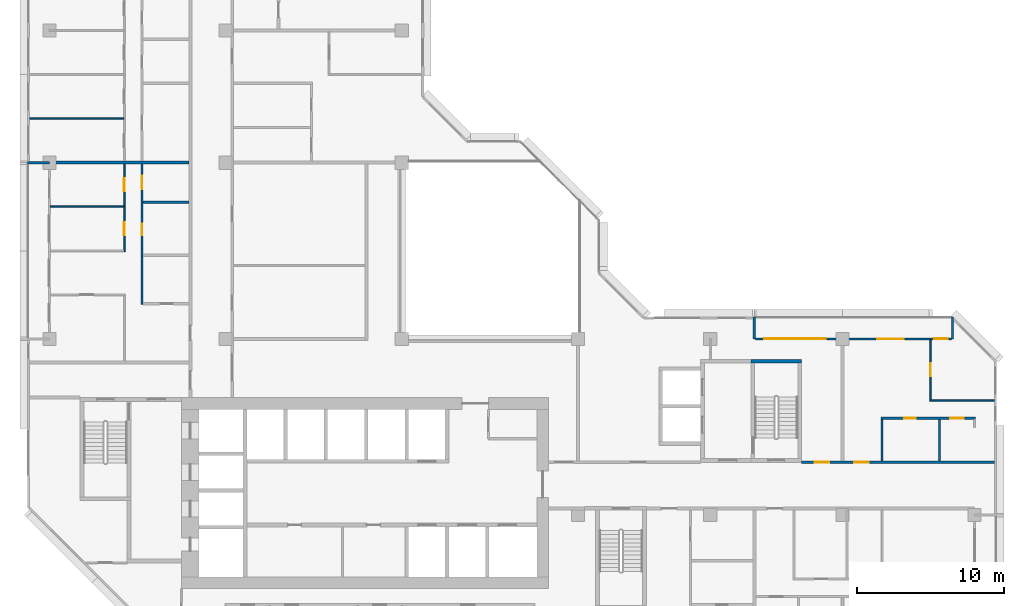
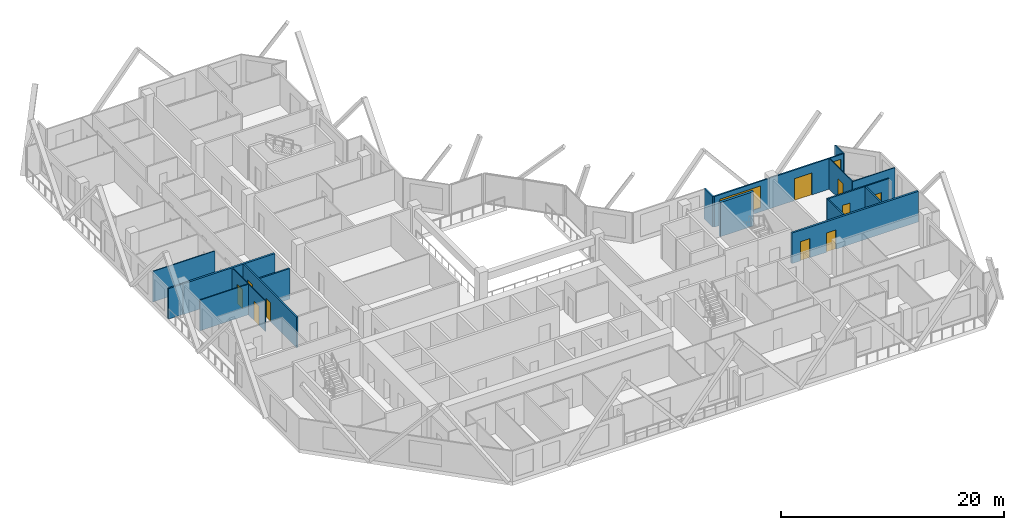
# One storey, part 8 of 15: 17 walls, 10 doors, 2 windows, 12 openings.
"""IFC4 building model written with IfcOpenShell, lengths in metres."""

from ifc_helpers import new_model, si_unit, direction, frame, frame_2d, origin, place, context, subcontext, project, spatial, rectangle, extrude, material, layer, layer_set, type_object, element, fill, save


model = new_model("IFC4")

# Units and contexts
model_context = context("Model", 3, precision=1e-05, world=origin(), true_north=direction((0.0, 1.0)))
body_context = subcontext(model_context, "Body", "Model", "MODEL_VIEW")
ifc_project = project(units=[si_unit("LENGTHUNIT", "METRE"), si_unit("AREAUNIT", "SQUARE_METRE"), si_unit("VOLUMEUNIT", "CUBIC_METRE"), si_unit("PLANEANGLEUNIT", "RADIAN"), si_unit("MASSUNIT", "GRAM", prefix="KILO")], contexts=[model_context])

# Site, building, storey
site_placement = place(None, origin())
site = spatial("IfcSite", under=ifc_project, at=site_placement, CompositionType="ELEMENT")
building_placement = place(site_placement, origin())
building = spatial("IfcBuilding", under=site, at=building_placement, Name="Chenar Terraces", CompositionType="ELEMENT")
storey_placement = place(building_placement, frame((0.0, 0.0, 172.39990234375)))
storey = spatial("IfcBuildingStorey", under=building, at=storey_placement, Name="L39", CompositionType="ELEMENT", Elevation=172.39990234375)

# Wall
ifc_material_1 = material(Name="Concrete C60/75", Category="concrete")
ifc_layer_1 = layer(ifc_material_1, 0.25)
ifc_layer_set_1 = layer_set([ifc_layer_1], Name="Concrete C60/75")
wall_type_1 = type_object("IfcWallType", Name="Core wall 250 Concrete C60/75", PredefinedType="SHEAR", material=ifc_layer_set_1)
wall_1_placement = place(storey_placement, frame((47.77490234375, 22.47509765625, 0.0), z_axis=(0.0, 0.0, 1.0), x_axis=(1.0, 0.0, 0.0)))
element("IfcWall", 1, at=wall_1_placement, inside=storey, type_object=wall_type_1, Name="Core wall ST3_N L39", PredefinedType="SHEAR", context=body_context, shape_type="SweptSolid", body=[
    extrude(rectangle(XDim=3.4501953125, YDim=0.25, at=frame_2d((1.72509765625, 0.0))), origin(), (0.0, 0.0, 1.0), 3.75),
])

# Wall, openings, doors
ifc_material_2 = material(Name="Gypsum board on steel studs with fire boards", Category="steel")
ifc_layer_2 = layer(ifc_material_2, 0.199951171875)
ifc_layer_set_2 = layer_set([ifc_layer_2], Name="Gypsum board on steel studs with fire boards")
wall_type_2 = type_object("IfcWallType", Name="Corridor wall 200", PredefinedType="PARTITIONING", material=ifc_layer_set_2)
wall_2_placement = place(storey_placement, frame((51.22509765625, 15.60009765625, 0.0), z_axis=(0.0, 0.0, 1.0), x_axis=(1.0, 0.0, 0.0)))
wall_2 = element("IfcWall", 2, at=wall_2_placement, inside=storey, type_object=wall_type_2, Name="Partition L39-077", PredefinedType="PARTITIONING", context=body_context, shape_type="SweptSolid", body=[
    extrude(rectangle(XDim=13.125, YDim=0.199951171875, at=frame_2d((6.5625, 0.0))), origin(), (0.0, 0.0, 1.0), 3.35009765625),
])
opening_1_placement = place(wall_2_placement, frame((3.574951171875, 0.0, 0.0)))
opening_1 = element("IfcOpeningElement", 3, at=opening_1_placement, cuts=wall_2, Name="Opening DL39-7", PredefinedType="OPENING", context=body_context, shape_type="SweptSolid", body=[
    extrude(rectangle(XDim=1.0, YDim=2.10009765625, at=frame_2d((0.5, 1.050048828125))), frame((0.0, 0.10986328125, 0.0), z_axis=(0.0, -1.0, 0.0), x_axis=(1.0, 0.0, 0.0)), (0.0, 0.0, 1.0), 0.219970703125),
])
opening_2_placement = place(wall_2_placement, frame((0.875, 0.0, 0.0)))
opening_2 = element("IfcOpeningElement", 4, at=opening_2_placement, cuts=wall_2, Name="Opening DL39-42", PredefinedType="OPENING", context=body_context, shape_type="SweptSolid", body=[
    extrude(rectangle(XDim=1.0, YDim=2.10009765625, at=frame_2d((0.5, 1.050048828125))), frame((0.0, 0.10986328125, 0.0), z_axis=(0.0, -1.0, 0.0), x_axis=(1.0, 0.0, 0.0)), (0.0, 0.0, 1.0), 0.219970703125),
])
ifc_material_3 = material(Name="Steel-framed fire-resisting door leaf", Category="steel")
door_type_1 = type_object("IfcDoorType", Name="Fire door FD30S 1000 x 2100", OperationType="SINGLE_SWING_LEFT", PredefinedType="DOOR", material=ifc_material_3)
door_1_placement = place(opening_1_placement, origin())
door_1 = element("IfcDoor", 5, at=door_1_placement, inside=storey, type_object=door_type_1, Name="Door DL39-7", OperationType="SINGLE_SWING_LEFT", OverallHeight=2.10009765625, OverallWidth=1.0, PredefinedType="DOOR", context=body_context, shape_type="SweptSolid", body=[
    extrude(rectangle(XDim=1.0, YDim=2.10009765625, at=frame_2d((0.5, 1.050048828125))), frame((0.0, 0.02490234375, 0.0), z_axis=(0.0, -1.0, 0.0), x_axis=(1.0, 0.0, 0.0)), (0.0, 0.0, 1.0), 0.050048828125),
])
fill(opening_1, door_1)
door_2_placement = place(opening_2_placement, origin())
door_2 = element("IfcDoor", 6, at=door_2_placement, inside=storey, type_object=door_type_1, Name="Door DL39-42", OperationType="SINGLE_SWING_RIGHT", OverallHeight=2.10009765625, OverallWidth=1.0, PredefinedType="DOOR", context=body_context, shape_type="SweptSolid", body=[
    extrude(rectangle(XDim=1.0, YDim=2.10009765625, at=frame_2d((0.5, 1.050048828125))), frame((0.0, 0.02490234375, 0.0), z_axis=(0.0, -1.0, 0.0), x_axis=(1.0, 0.0, 0.0)), (0.0, 0.0, 1.0), 0.050048828125),
])
fill(opening_2, door_2)

# Wall, openings, windows, door
ifc_material_4 = material(Name="Aluminium framed glazing", Category="aluminium")
ifc_layer_3 = layer(ifc_material_4, 0.14990234375)
ifc_layer_set_3 = layer_set([ifc_layer_3], Name="Aluminium framed glazing")
wall_type_3 = type_object("IfcWallType", Name="Glazed loggia back wall 150", PredefinedType="SOLIDWALL", material=ifc_layer_set_3)
wall_3_placement = place(storey_placement, frame((61.425048828125, 24.0, 0.0), z_axis=(0.0, 0.0, 1.0), x_axis=(-1.0, 0.0, 0.0)))
wall_3 = element("IfcWall", 7, at=wall_3_placement, inside=storey, type_object=wall_type_3, Name="Glazed loggia back wall", PredefinedType="SOLIDWALL", context=body_context, shape_type="SweptSolid", body=[
    extrude(rectangle(XDim=13.35009765625, YDim=0.14990234375, at=frame_2d((6.675048828125, 0.0))), origin(), (0.0, 0.0, 1.0), 3.35009765625),
])
opening_3_placement = place(wall_3_placement, frame((0.262451171875, 0.0, 0.449951171875)))
opening_3 = element("IfcOpeningElement", 8, at=opening_3_placement, cuts=wall_3, Name="Opening W90x240", PredefinedType="OPENING", context=body_context, shape_type="SweptSolid", body=[
    extrude(rectangle(XDim=0.89990234375, YDim=2.39990234375, at=frame_2d((0.449951171875, 1.199951171875))), frame((0.0, 0.0849609375, 0.0), z_axis=(0.0, -1.0, 0.0), x_axis=(1.0, 0.0, 0.0)), (0.0, 0.0, 1.0), 0.169921875),
])
opening_4_placement = place(wall_3_placement, frame((3.25, 0.0, 0.0)))
opening_4 = element("IfcOpeningElement", 9, at=opening_4_placement, cuts=wall_3, Name="Opening DL39-G1", PredefinedType="OPENING", context=body_context, shape_type="SweptSolid", body=[
    extrude(rectangle(XDim=1.800048828125, YDim=2.39990234375, at=frame_2d((0.89990234375, 1.199951171875))), frame((0.0, 0.0849609375, 0.0), z_axis=(0.0, -1.0, 0.0), x_axis=(1.0, 0.0, 0.0)), (0.0, 0.0, 1.0), 0.169921875),
])
opening_5_placement = place(wall_3_placement, frame((8.5625, 0.0, 0.449951171875)))
opening_5 = element("IfcOpeningElement", 10, at=opening_5_placement, cuts=wall_3, Name="Opening W420x240", PredefinedType="OPENING", context=body_context, shape_type="SweptSolid", body=[
    extrude(rectangle(XDim=4.199951171875, YDim=2.39990234375, at=frame_2d((2.10009765625, 1.199951171875))), frame((0.0, 0.0849609375, 0.0), z_axis=(0.0, -1.0, 0.0), x_axis=(1.0, 0.0, 0.0)), (0.0, 0.0, 1.0), 0.169921875),
])
ifc_material_5 = material(Name="Low emissivity double glazing, aluminium frame", Category="aluminium")
window_type_1 = type_object("IfcWindowType", Name="Fixed light 4200 x 2400", PartitioningType="SINGLE_PANEL", PredefinedType="WINDOW", material=ifc_material_5)
window_1_placement = place(opening_5_placement, origin())
window_1 = element("IfcWindow", 11, at=window_1_placement, inside=storey, type_object=window_type_1, Name="Window", OverallHeight=2.39990234375, OverallWidth=4.199951171875, PartitioningType="SINGLE_PANEL", PredefinedType="WINDOW", context=body_context, shape_type="SweptSolid", body=[
    extrude(rectangle(XDim=4.199951171875, YDim=2.39990234375, at=frame_2d((2.10009765625, 1.199951171875))), frame((0.0, 0.030029296875, 0.0), z_axis=(0.0, -1.0, 0.0), x_axis=(1.0, 0.0, 0.0)), (0.0, 0.0, 1.0), 0.06005859375),
])
fill(opening_5, window_1)
ifc_material_6 = material(Name="Low emissivity double glazing, aluminium frame", Category="aluminium")
window_type_2 = type_object("IfcWindowType", Name="Fixed light 900 x 2400", PartitioningType="SINGLE_PANEL", PredefinedType="WINDOW", material=ifc_material_6)
window_2_placement = place(opening_3_placement, origin())
window_2 = element("IfcWindow", 12, at=window_2_placement, inside=storey, type_object=window_type_2, Name="Window", OverallHeight=2.39990234375, OverallWidth=0.89990234375, PartitioningType="SINGLE_PANEL", PredefinedType="WINDOW", context=body_context, shape_type="SweptSolid", body=[
    extrude(rectangle(XDim=0.89990234375, YDim=2.39990234375, at=frame_2d((0.449951171875, 1.199951171875))), frame((0.0, 0.030029296875, 0.0), z_axis=(0.0, -1.0, 0.0), x_axis=(1.0, 0.0, 0.0)), (0.0, 0.0, 1.0), 0.06005859375),
])
fill(opening_3, window_2)
ifc_material_7 = material(Name="Low emissivity double glazing, aluminium frame", Category="aluminium")
door_type_2 = type_object("IfcDoorType", Name="Loggia glazed double door 1800 x 2400", OperationType="DOUBLE_DOOR_SINGLE_SWING", PredefinedType="DOOR", material=ifc_material_7)
door_3_placement = place(opening_4_placement, frame((1.800048828125, 0.0, 0.0), z_axis=(0.0, 0.0, 1.0), x_axis=(-1.0, 0.0, 0.0)))
door_3 = element("IfcDoor", 13, at=door_3_placement, inside=storey, type_object=door_type_2, Name="Loggia glazed door", OperationType="DOUBLE_DOOR_SINGLE_SWING", OverallHeight=2.39990234375, OverallWidth=1.800048828125, PredefinedType="DOOR", context=body_context, shape_type="SweptSolid", body=[
    extrude(rectangle(XDim=1.800048828125, YDim=2.39990234375, at=frame_2d((0.89990234375, 1.199951171875))), frame((0.0, 0.02490234375, 0.0), z_axis=(0.0, -1.0, 0.0), x_axis=(1.0, 0.0, 0.0)), (0.0, 0.0, 1.0), 0.050048828125),
])
fill(opening_4, door_3)

# Walls
ifc_material_8 = material(Name="Gypsum board on steel studs", Category="steel")
ifc_layer_4 = layer(ifc_material_8, 0.10009765625)
ifc_layer_set_4 = layer_set([ifc_layer_4], Name="Gypsum board on steel studs")
wall_type_4 = type_object("IfcWallType", Name="Gypsum partition 100", PredefinedType="PARTITIONING", material=ifc_layer_set_4)
wall_4_placement = place(storey_placement, frame((-1.35107421875, 39.0, 0.0), z_axis=(0.0, 0.0, 1.0), x_axis=(1.0, 0.0, 0.0)))
element("IfcWall", 14, at=wall_4_placement, inside=storey, type_object=wall_type_4, Name="Partition L39-001", PredefinedType="PARTITIONING", context=body_context, shape_type="SweptSolid", body=[
    extrude(rectangle(XDim=6.401123046875, YDim=0.10009765625, at=frame_2d((3.20068359375, 0.0))), origin(), (0.0, 0.0, 1.0), 3.35009765625),
])
wall_5_placement = place(storey_placement, frame((0.073974609375, 33.0, 0.0), z_axis=(0.0, 0.0, 1.0), x_axis=(1.0, 0.0, 0.0)))
element("IfcWall", 15, at=wall_5_placement, inside=storey, type_object=wall_type_4, Name="Partition L39-010", PredefinedType="PARTITIONING", context=body_context, shape_type="SweptSolid", body=[
    extrude(rectangle(XDim=4.97607421875, YDim=0.10009765625, at=frame_2d((2.488037109375, 0.0))), origin(), (0.0, 0.0, 1.0), 3.35009765625),
])

# Wall, openings, doors
wall_6_placement = place(storey_placement, frame((5.10009765625, 29.949951171875, 0.0), z_axis=(0.0, 0.0, 1.0), x_axis=(0.0, 1.0, 0.0)))
wall_6 = element("IfcWall", 16, at=wall_6_placement, inside=storey, type_object=wall_type_4, Name="Partition L39-015", PredefinedType="PARTITIONING", context=body_context, shape_type="SweptSolid", body=[
    extrude(rectangle(XDim=5.949951171875, YDim=0.10009765625, at=frame_2d((2.97509765625, 0.0))), origin(), (0.0, 0.0, 1.0), 3.35009765625),
])
opening_6_placement = place(wall_6_placement, frame((4.10009765625, 0.0, 0.0)))
opening_6 = element("IfcOpeningElement", 17, at=opening_6_placement, cuts=wall_6, Name="Opening DL39-59", PredefinedType="OPENING", context=body_context, shape_type="SweptSolid", body=[
    extrude(rectangle(XDim=0.89990234375, YDim=2.10009765625, at=frame_2d((0.449951171875, 1.050048828125))), frame((0.0, 0.06005859375, 0.0), z_axis=(0.0, -1.0, 0.0), x_axis=(1.0, 0.0, 0.0)), (0.0, 0.0, 1.0), 0.1201171875),
])
opening_7_placement = place(wall_6_placement, frame((1.10009765625, 0.0, 0.0)))
opening_7 = element("IfcOpeningElement", 18, at=opening_7_placement, cuts=wall_6, Name="Opening DL39-63", PredefinedType="OPENING", context=body_context, shape_type="SweptSolid", body=[
    extrude(rectangle(XDim=0.89990234375, YDim=2.10009765625, at=frame_2d((0.449951171875, 1.050048828125))), frame((0.0, 0.06005859375, 0.0), z_axis=(0.0, -1.0, 0.0), x_axis=(1.0, 0.0, 0.0)), (0.0, 0.0, 1.0), 0.1201171875),
])
ifc_material_9 = material(Name="Veneered timber door leaf", Category="wood")
door_type_3 = type_object("IfcDoorType", Name="Door 900 x 2100", OperationType="SINGLE_SWING_LEFT", PredefinedType="DOOR", material=ifc_material_9)
door_4_placement = place(opening_6_placement, origin())
door_4 = element("IfcDoor", 19, at=door_4_placement, inside=storey, type_object=door_type_3, Name="Door DL39-59", OperationType="SINGLE_SWING_RIGHT", OverallHeight=2.10009765625, OverallWidth=0.89990234375, PredefinedType="DOOR", context=body_context, shape_type="SweptSolid", body=[
    extrude(rectangle(XDim=0.89990234375, YDim=2.10009765625, at=frame_2d((0.449951171875, 1.050048828125))), frame((0.0, 0.02490234375, 0.0), z_axis=(0.0, -1.0, 0.0), x_axis=(1.0, 0.0, 0.0)), (0.0, 0.0, 1.0), 0.050048828125),
])
fill(opening_6, door_4)
door_5_placement = place(opening_7_placement, origin())
door_5 = element("IfcDoor", 20, at=door_5_placement, inside=storey, type_object=door_type_3, Name="Door DL39-63", OperationType="SINGLE_SWING_LEFT", OverallHeight=2.10009765625, OverallWidth=0.89990234375, PredefinedType="DOOR", context=body_context, shape_type="SweptSolid", body=[
    extrude(rectangle(XDim=0.89990234375, YDim=2.10009765625, at=frame_2d((0.449951171875, 1.050048828125))), frame((0.0, 0.02490234375, 0.0), z_axis=(0.0, -1.0, 0.0), x_axis=(1.0, 0.0, 0.0)), (0.0, 0.0, 1.0), 0.050048828125),
])
fill(opening_7, door_5)

# Wall
wall_7_placement = place(storey_placement, frame((59.949951171875, 19.800048828125, 0.0), z_axis=(0.0, 0.0, 1.0), x_axis=(1.0, 0.0, 0.0)))
element("IfcWall", 21, at=wall_7_placement, inside=storey, type_object=wall_type_4, Name="Partition L39-085", PredefinedType="PARTITIONING", context=body_context, shape_type="SweptSolid", body=[
    extrude(rectangle(XDim=4.401123046875, YDim=0.10009765625, at=frame_2d((2.20068359375, 0.0))), origin(), (0.0, 0.0, 1.0), 3.35009765625),
])

# Wall, opening, door
wall_8_placement = place(storey_placement, frame((60.0, 19.85009765625, 0.0), z_axis=(0.0, 0.0, 1.0), x_axis=(0.0, 1.0, 0.0)))
wall_8 = element("IfcWall", 22, at=wall_8_placement, inside=storey, type_object=wall_type_4, Name="Partition L39-086", PredefinedType="PARTITIONING", context=body_context, shape_type="SweptSolid", body=[
    extrude(rectangle(XDim=4.075927734375, YDim=0.10009765625, at=frame_2d((2.0380859375, 0.0))), origin(), (0.0, 0.0, 1.0), 3.35009765625),
])
opening_8_placement = place(wall_8_placement, frame((1.60009765625, 0.0, 0.0)))
opening_8 = element("IfcOpeningElement", 23, at=opening_8_placement, cuts=wall_8, Name="Opening DL39-5", PredefinedType="OPENING", context=body_context, shape_type="SweptSolid", body=[
    extrude(rectangle(XDim=0.89990234375, YDim=2.10009765625, at=frame_2d((0.449951171875, 1.050048828125))), frame((0.0, 0.06005859375, 0.0), z_axis=(0.0, -1.0, 0.0), x_axis=(1.0, 0.0, 0.0)), (0.0, 0.0, 1.0), 0.1201171875),
])
door_6_placement = place(opening_8_placement, frame((0.89990234375, 0.0, 0.0), z_axis=(0.0, 0.0, 1.0), x_axis=(-1.0, 0.0, 0.0)))
door_6 = element("IfcDoor", 24, at=door_6_placement, inside=storey, type_object=door_type_3, Name="Door DL39-5", OperationType="SINGLE_SWING_LEFT", OverallHeight=2.10009765625, OverallWidth=0.89990234375, PredefinedType="DOOR", context=body_context, shape_type="SweptSolid", body=[
    extrude(rectangle(XDim=0.89990234375, YDim=2.10009765625, at=frame_2d((0.449951171875, 1.050048828125))), frame((0.0, 0.02490234375, 0.0), z_axis=(0.0, -1.0, 0.0), x_axis=(1.0, 0.0, 0.0)), (0.0, 0.0, 1.0), 0.050048828125),
])
fill(opening_8, door_6)

# Walls
ifc_material_10 = material(Name="Terracotta cladding on insulated backing", Category="masonry")
ifc_layer_5 = layer(ifc_material_10, 0.14990234375)
ifc_layer_set_5 = layer_set([ifc_layer_5], Name="Terracotta cladding on insulated backing")
wall_type_5 = type_object("IfcWallType", Name="Loggia return wall 150", PredefinedType="SOLIDWALL", material=ifc_layer_set_5)
for number, where, z_axis, x_axis, name in (
    (25, (61.5, 25.5, 0.0), (0.0, 0.0, 1.0), (0.0, -1.0, 0.0), "Loggia return wall"),
    (26, (48.0, 25.5, 0.0), (0.0, 0.0, 1.0), (0.0, -1.0, 0.0), "Loggia return wall"),
    (27, (-1.5, 36.0, 0.0), (0.0, 0.0, 1.0), (1.0, 0.0, 0.0), "Loggia return wall"),
):
    element("IfcWall", number, at=place(storey_placement, frame(where, z_axis=z_axis, x_axis=x_axis)), inside=storey, type_object=wall_type_5, Name=name, PredefinedType="SOLIDWALL", context=body_context, shape_type="SweptSolid", body=[
        extrude(rectangle(XDim=1.5, YDim=0.14990234375, at=frame_2d((0.75, 0.0))), origin(), (0.0, 0.0, 1.0), 3.35009765625),
    ])
ifc_material_11 = material(Name="Twin gypsum board on steel studs with mineral wool", Category="steel")
ifc_layer_6 = layer(ifc_material_11, 0.199951171875)
ifc_layer_set_6 = layer_set([ifc_layer_6], Name="Twin gypsum board on steel studs with mineral wool")
wall_type_6 = type_object("IfcWallType", Name="Unit demising wall 200", PredefinedType="PARTITIONING", material=ifc_layer_set_6)
wall_9_placement = place(storey_placement, frame((0.0, 36.0, 0.0), z_axis=(0.0, 0.0, 1.0), x_axis=(1.0, 0.0, 0.0)))
element("IfcWall", 28, at=wall_9_placement, inside=storey, type_object=wall_type_6, Name="Partition L39-004", PredefinedType="PARTITIONING", context=body_context, shape_type="SweptSolid", body=[
    extrude(rectangle(XDim=9.5, YDim=0.199951171875, at=frame_2d((4.75, 0.0))), origin(), (0.0, 0.0, 1.0), 3.35009765625),
])

# Wall, openings, doors
ifc_material_12 = material(Name="Moisture-resistant gypsum board on steel studs", Category="steel")
ifc_layer_7 = layer(ifc_material_12, 0.14990234375)
ifc_layer_set_7 = layer_set([ifc_layer_7], Name="Moisture-resistant gypsum board on steel studs")
wall_type_7 = type_object("IfcWallType", Name="Wet-room partition 150", PredefinedType="PARTITIONING", material=ifc_layer_set_7)
wall_10_placement = place(storey_placement, frame((6.300048828125, 26.324951171875, 0.0), z_axis=(0.0, 0.0, 1.0), x_axis=(0.0, 1.0, 0.0)))
wall_10 = element("IfcWall", 29, at=wall_10_placement, inside=storey, type_object=wall_type_7, Name="Partition L39-017", PredefinedType="PARTITIONING", context=body_context, shape_type="SweptSolid", body=[
    extrude(rectangle(XDim=9.574951171875, YDim=0.14990234375, at=frame_2d((4.78759765625, 0.0))), origin(), (0.0, 0.0, 1.0), 3.35009765625),
])
opening_9_placement = place(wall_10_placement, frame((7.875, 0.0, 0.0)))
opening_9 = element("IfcOpeningElement", 30, at=opening_9_placement, cuts=wall_10, Name="Opening DL39-60", PredefinedType="OPENING", context=body_context, shape_type="SweptSolid", body=[
    extrude(rectangle(XDim=0.89990234375, YDim=2.10009765625, at=frame_2d((0.449951171875, 1.050048828125))), frame((0.0, 0.0849609375, 0.0), z_axis=(0.0, -1.0, 0.0), x_axis=(1.0, 0.0, 0.0)), (0.0, 0.0, 1.0), 0.169921875),
])
opening_10_placement = place(wall_10_placement, frame((4.72509765625, 0.0, 0.0)))
opening_10 = element("IfcOpeningElement", 31, at=opening_10_placement, cuts=wall_10, Name="Opening DL39-61", PredefinedType="OPENING", context=body_context, shape_type="SweptSolid", body=[
    extrude(rectangle(XDim=0.800048828125, YDim=2.10009765625, at=frame_2d((0.39990234375, 1.050048828125))), frame((0.0, 0.0849609375, 0.0), z_axis=(0.0, -1.0, 0.0), x_axis=(1.0, 0.0, 0.0)), (0.0, 0.0, 1.0), 0.169921875),
])
ifc_material_13 = material(Name="Veneered timber door leaf", Category="wood")
door_type_4 = type_object("IfcDoorType", Name="Door 800 x 2100", OperationType="SINGLE_SWING_LEFT", PredefinedType="DOOR", material=ifc_material_13)
door_7_placement = place(opening_10_placement, frame((0.800048828125, 0.0, 0.0), z_axis=(0.0, 0.0, 1.0), x_axis=(-1.0, 0.0, 0.0)))
door_7 = element("IfcDoor", 32, at=door_7_placement, inside=storey, type_object=door_type_4, Name="Door DL39-61", OperationType="SINGLE_SWING_RIGHT", OverallHeight=2.10009765625, OverallWidth=0.800048828125, PredefinedType="DOOR", context=body_context, shape_type="SweptSolid", body=[
    extrude(rectangle(XDim=0.800048828125, YDim=2.10009765625, at=frame_2d((0.39990234375, 1.050048828125))), frame((0.0, 0.02490234375, 0.0), z_axis=(0.0, -1.0, 0.0), x_axis=(1.0, 0.0, 0.0)), (0.0, 0.0, 1.0), 0.050048828125),
])
fill(opening_10, door_7)
door_8_placement = place(opening_9_placement, frame((0.89990234375, 0.0, 0.0), z_axis=(0.0, 0.0, 1.0), x_axis=(-1.0, 0.0, 0.0)))
door_8 = element("IfcDoor", 33, at=door_8_placement, inside=storey, type_object=door_type_3, Name="Door DL39-60", OperationType="SINGLE_SWING_RIGHT", OverallHeight=2.10009765625, OverallWidth=0.89990234375, PredefinedType="DOOR", context=body_context, shape_type="SweptSolid", body=[
    extrude(rectangle(XDim=0.89990234375, YDim=2.10009765625, at=frame_2d((0.449951171875, 1.050048828125))), frame((0.0, 0.02490234375, 0.0), z_axis=(0.0, -1.0, 0.0), x_axis=(1.0, 0.0, 0.0)), (0.0, 0.0, 1.0), 0.050048828125),
])
fill(opening_9, door_8)

# Wall
wall_11_placement = place(storey_placement, frame((6.375, 33.300048828125, 0.0), z_axis=(0.0, 0.0, 1.0), x_axis=(1.0, 0.0, 0.0)))
element("IfcWall", 34, at=wall_11_placement, inside=storey, type_object=wall_type_7, Name="Partition L39-022", PredefinedType="PARTITIONING", context=body_context, shape_type="SweptSolid", body=[
    extrude(rectangle(XDim=3.125, YDim=0.14990234375, at=frame_2d((1.5625, 0.0))), origin(), (0.0, 0.0, 1.0), 3.35009765625),
])

# Wall, openings, doors
wall_12_placement = place(storey_placement, frame((56.625, 18.60009765625, 0.0), z_axis=(0.0, 0.0, 1.0), x_axis=(1.0, 0.0, 0.0)))
wall_12 = element("IfcWall", 35, at=wall_12_placement, inside=storey, type_object=wall_type_7, Name="Partition L39-081", PredefinedType="PARTITIONING", context=body_context, shape_type="SweptSolid", body=[
    extrude(rectangle(XDim=6.425048828125, YDim=0.14990234375, at=frame_2d((3.21240234375, 0.0))), origin(), (0.0, 0.0, 1.0), 3.35009765625),
])
opening_11_placement = place(wall_12_placement, frame((1.574951171875, 0.0, 0.0)))
opening_11 = element("IfcOpeningElement", 36, at=opening_11_placement, cuts=wall_12, Name="Opening DL39-4", PredefinedType="OPENING", context=body_context, shape_type="SweptSolid", body=[
    extrude(rectangle(XDim=0.800048828125, YDim=2.10009765625, at=frame_2d((0.39990234375, 1.050048828125))), frame((0.0, 0.0849609375, 0.0), z_axis=(0.0, -1.0, 0.0), x_axis=(1.0, 0.0, 0.0)), (0.0, 0.0, 1.0), 0.169921875),
])
opening_12_placement = place(wall_12_placement, frame((4.72509765625, 0.0, 0.0)))
opening_12 = element("IfcOpeningElement", 37, at=opening_12_placement, cuts=wall_12, Name="Opening DL39-6", PredefinedType="OPENING", context=body_context, shape_type="SweptSolid", body=[
    extrude(rectangle(XDim=0.89990234375, YDim=2.10009765625, at=frame_2d((0.449951171875, 1.050048828125))), frame((0.0, 0.0849609375, 0.0), z_axis=(0.0, -1.0, 0.0), x_axis=(1.0, 0.0, 0.0)), (0.0, 0.0, 1.0), 0.169921875),
])
door_9_placement = place(opening_11_placement, frame((0.800048828125, 0.0, 0.0), z_axis=(0.0, 0.0, 1.0), x_axis=(-1.0, 0.0, 0.0)))
door_9 = element("IfcDoor", 38, at=door_9_placement, inside=storey, type_object=door_type_4, Name="Door DL39-4", OperationType="SINGLE_SWING_RIGHT", OverallHeight=2.10009765625, OverallWidth=0.800048828125, PredefinedType="DOOR", context=body_context, shape_type="SweptSolid", body=[
    extrude(rectangle(XDim=0.800048828125, YDim=2.10009765625, at=frame_2d((0.39990234375, 1.050048828125))), frame((0.0, 0.02490234375, 0.0), z_axis=(0.0, -1.0, 0.0), x_axis=(1.0, 0.0, 0.0)), (0.0, 0.0, 1.0), 0.050048828125),
])
fill(opening_11, door_9)
door_10_placement = place(opening_12_placement, frame((0.89990234375, 0.0, 0.0), z_axis=(0.0, 0.0, 1.0), x_axis=(-1.0, 0.0, 0.0)))
door_10 = element("IfcDoor", 39, at=door_10_placement, inside=storey, type_object=door_type_3, Name="Door DL39-6", OperationType="SINGLE_SWING_RIGHT", OverallHeight=2.10009765625, OverallWidth=0.89990234375, PredefinedType="DOOR", context=body_context, shape_type="SweptSolid", body=[
    extrude(rectangle(XDim=0.89990234375, YDim=2.10009765625, at=frame_2d((0.449951171875, 1.050048828125))), frame((0.0, 0.02490234375, 0.0), z_axis=(0.0, -1.0, 0.0), x_axis=(1.0, 0.0, 0.0)), (0.0, 0.0, 1.0), 0.050048828125),
])
fill(opening_12, door_10)

# Walls
for number, where, z_axis, x_axis, name in (
    (40, (56.699951171875, 15.699951171875, 0.0), (0.0, 0.0, 1.0), (0.0, 1.0, 0.0), "Partition L39-083"),
    (41, (60.60009765625, 15.699951171875, 0.0), (0.0, 0.0, 1.0), (0.0, 1.0, 0.0), "Partition L39-087"),
):
    element("IfcWall", number, at=place(storey_placement, frame(where, z_axis=z_axis, x_axis=x_axis)), inside=storey, type_object=wall_type_7, Name=name, PredefinedType="PARTITIONING", context=body_context, shape_type="SweptSolid", body=[
        extrude(rectangle(XDim=2.824951171875, YDim=0.14990234375, at=frame_2d((1.41259765625, 0.0))), origin(), (0.0, 0.0, 1.0), 3.35009765625),
    ])

save(model, "model.ifc")
